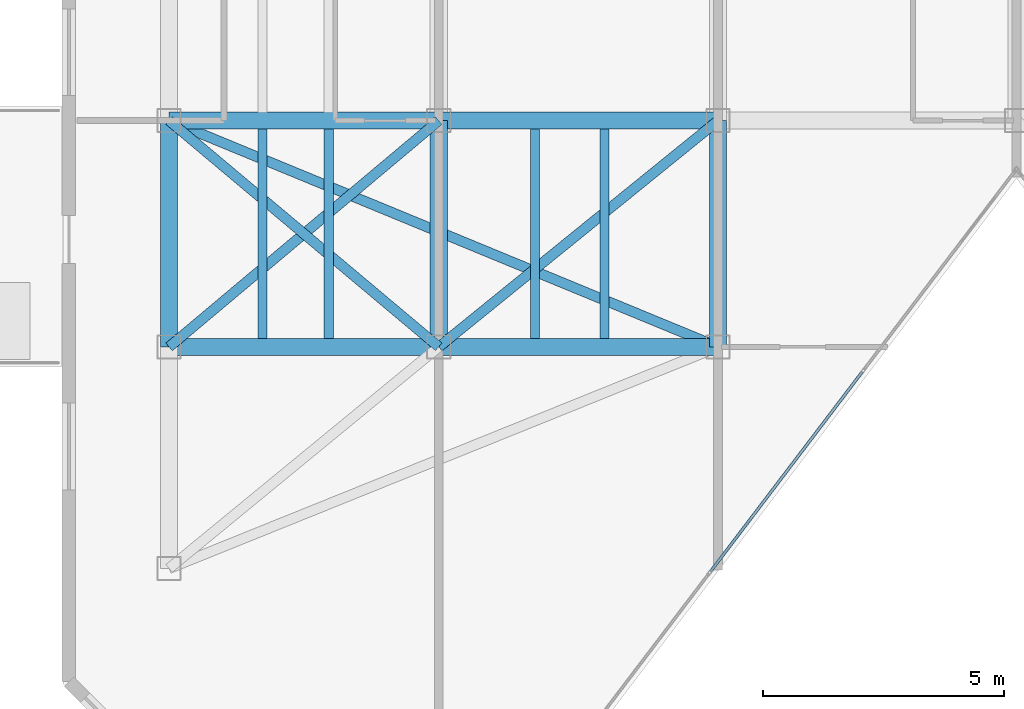
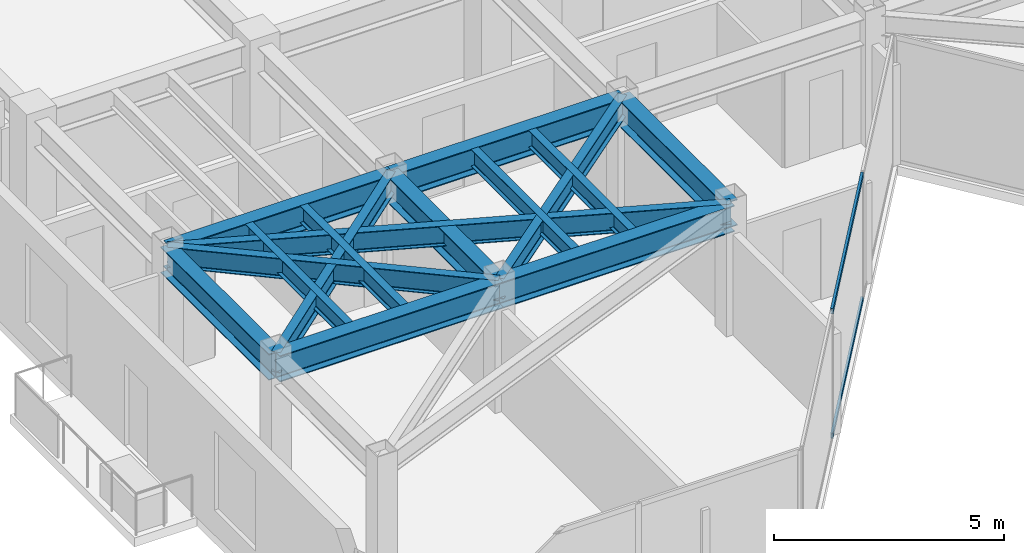
# One storey, part 5 of 17: 15 beams, 2 members, 1 element without a shape of its own.
"""IFC4 building model written with IfcOpenShell, lengths in metres."""

from ifc_helpers import new_model, si_unit, direction, frame, origin, origin_2d, place, context, subcontext, project, spatial, hollow_rectangle, i_section, extrude, material, layer, layer_set, material_profile, profile_set, type_object, element, aggregate, save


model = new_model("IFC4")

# Units and contexts
model_context = context("Model", 3, precision=1e-05, world=origin(), true_north=direction((0.0, 1.0)))
body_context = subcontext(model_context, "Body", "Model", "MODEL_VIEW")
ifc_project = project(units=[si_unit("LENGTHUNIT", "METRE"), si_unit("AREAUNIT", "SQUARE_METRE"), si_unit("VOLUMEUNIT", "CUBIC_METRE"), si_unit("PLANEANGLEUNIT", "RADIAN"), si_unit("MASSUNIT", "GRAM", prefix="KILO")], contexts=[model_context])

# Site, building, storey
site_placement = place(None, origin())
site = spatial("IfcSite", under=ifc_project, at=site_placement, CompositionType="ELEMENT")
building_placement = place(site_placement, origin())
building = spatial("IfcBuilding", under=site, at=building_placement, Name="Kravanh Interchange Tower", CompositionType="ELEMENT")
storey_placement = place(building_placement, frame((0.0, 0.0, 249.0)))
storey = spatial("IfcBuildingStorey", under=building, at=storey_placement, Name="L60", CompositionType="ELEMENT", Elevation=249.0)

# Curtain wall, members
ifc_material_1 = material(Name="Anodised Bronze Aluminium", Category="aluminium")
ifc_layer = layer(ifc_material_1, 0.179931640625)
ifc_layer_set = layer_set([ifc_layer], Name="Unitised Curtain Wall System CW-HTL Luxury Hotel")
curtain_wall_type = type_object("IfcCurtainWallType", Name="Unitised Curtain Wall System CW-HTL Luxury Hotel", PredefinedType="NOTDEFINED", material=ifc_layer_set)
curtain_wall_placement = place(storey_placement, origin())
curtain_wall = element("IfcCurtainWall", 1, at=curtain_wall_placement, inside=storey, type_object=curtain_wall_type, Name="L60 Unitised Curtain Wall CW-L60-04", PredefinedType="NOTDEFINED")
ifc_material_2 = material(Name="Anodised Bronze Aluminium", Category="aluminium")
ifc_material_profile_1 = material_profile(ifc_material_2, hollow_rectangle(XDim=0.06005859375, YDim=0.139892578125, WallThickness=0.00390625, at=origin_2d()), Name="ALU60X140X4")
ifc_profile_set_1 = profile_set([ifc_material_profile_1], Name="Anodised Bronze Aluminium")
member_type = type_object("IfcMemberType", Name="Curtain Wall Transom ALU60X140X4 Bronze", PredefinedType="USERDEFINED", material=ifc_profile_set_1)
member_1_placement = place(storey_placement, frame((41.595458984375, 26.28173828125, 0.030029296875), z_axis=(-0.605104668693, -0.796145928788, 0.0), x_axis=(0.796145928788, -0.605104668693, 0.0)))
member_1 = element("IfcMember", 2, at=member_1_placement, type_object=member_type, Name="CW-HTL transom 2.1", ObjectType="TRANSOM", PredefinedType="USERDEFINED", context=body_context, shape_type="SweptSolid", body=[
    extrude(hollow_rectangle(XDim=0.06005859375, YDim=0.139892578125, WallThickness=0.00390625, at=origin_2d()), origin(), (0.0, 0.0, 1.0), 5.206298828125),
])
member_2_placement = place(storey_placement, frame((41.595458984375, 26.28173828125, 3.330078125), z_axis=(-0.605104668693, -0.796145928788, 0.0), x_axis=(0.796145928788, -0.605104668693, 0.0)))
member_2 = element("IfcMember", 3, at=member_2_placement, type_object=member_type, Name="CW-HTL transom 2.2", ObjectType="TRANSOM", PredefinedType="USERDEFINED", context=body_context, shape_type="SweptSolid", body=[
    extrude(hollow_rectangle(XDim=0.06005859375, YDim=0.139892578125, WallThickness=0.00390625, at=origin_2d()), origin(), (0.0, 0.0, 1.0), 5.206298828125),
])
aggregate(curtain_wall, [member_1, member_2])

# Beams
ifc_material_3 = material(Name="Structural Steel S355", Category="steel")
ifc_material_profile_2 = material_profile(ifc_material_3, i_section(OverallWidth=0.35498046875, OverallDepth=0.696044921875, WebThickness=0.015380859375, FlangeThickness=0.02490234375, FilletRadius=0.02392578125, at=origin_2d()), Name="W27X146")
ifc_profile_set_2 = profile_set([ifc_material_profile_2], Name="Structural Steel S355")
beam_type_1 = type_object("IfcBeamType", Name="Floor Beam W27X146 Structural Steel S355", PredefinedType="BEAM", material=ifc_profile_set_2)
beam_1_placement = place(storey_placement, frame((38.60009765625, 31.5, 3.011962890625), z_axis=(0.0, -1.0, 0.0), x_axis=(1.0, 0.0, 0.0)))
element("IfcBeam", 4, at=beam_1_placement, inside=storey, type_object=beam_type_1, Name="L60 Primary Floor Girder 17", PredefinedType="BEAM", context=body_context, shape_type="SweptSolid", body=[
    extrude(i_section(OverallWidth=0.35498046875, OverallDepth=0.696044921875, WebThickness=0.015380859375, FlangeThickness=0.02490234375, FilletRadius=0.02392578125, at=origin_2d()), origin(), (0.0, 0.0, 1.0), 4.699951171875),
])
beam_2_placement = place(storey_placement, frame((38.60009765625, 31.5, 3.011962890625), z_axis=(-1.0, 0.0, 0.0), x_axis=(0.0, -1.0, 0.0)))
element("IfcBeam", 5, at=beam_2_placement, inside=storey, type_object=beam_type_1, Name="L60 Primary Floor Girder 18", PredefinedType="BEAM", context=body_context, shape_type="SweptSolid", body=[
    extrude(i_section(OverallWidth=0.35498046875, OverallDepth=0.696044921875, WebThickness=0.015380859375, FlangeThickness=0.02490234375, FilletRadius=0.02392578125, at=origin_2d()), origin(), (0.0, 0.0, 1.0), 5.800048828125),
])
beam_3_placement = place(storey_placement, frame((32.800048828125, 31.5, 3.011962890625), z_axis=(0.0, -1.0, 0.0), x_axis=(1.0, 0.0, 0.0)))
element("IfcBeam", 6, at=beam_3_placement, inside=storey, type_object=beam_type_1, Name="L60 Primary Floor Girder 21", PredefinedType="BEAM", context=body_context, shape_type="SweptSolid", body=[
    extrude(i_section(OverallWidth=0.35498046875, OverallDepth=0.696044921875, WebThickness=0.015380859375, FlangeThickness=0.02490234375, FilletRadius=0.02392578125, at=origin_2d()), origin(), (0.0, 0.0, 1.0), 4.699951171875),
])
beam_4_placement = place(storey_placement, frame((32.800048828125, 31.5, 3.011962890625), z_axis=(-1.0, 0.0, 0.0), x_axis=(0.0, -1.0, 0.0)))
element("IfcBeam", 7, at=beam_4_placement, inside=storey, type_object=beam_type_1, Name="L60 Primary Floor Girder 22", PredefinedType="BEAM", context=body_context, shape_type="SweptSolid", body=[
    extrude(i_section(OverallWidth=0.35498046875, OverallDepth=0.696044921875, WebThickness=0.015380859375, FlangeThickness=0.02490234375, FilletRadius=0.02392578125, at=origin_2d()), origin(), (0.0, 0.0, 1.0), 5.60009765625),
])
beam_5_placement = place(storey_placement, frame((27.199951171875, 31.5, 3.011962890625), z_axis=(0.0, -1.0, 0.0), x_axis=(1.0, 0.0, 0.0)))
element("IfcBeam", 8, at=beam_5_placement, inside=storey, type_object=beam_type_1, Name="L60 Primary Floor Girder 25", PredefinedType="BEAM", context=body_context, shape_type="SweptSolid", body=[
    extrude(i_section(OverallWidth=0.35498046875, OverallDepth=0.696044921875, WebThickness=0.015380859375, FlangeThickness=0.02490234375, FilletRadius=0.02392578125, at=origin_2d()), origin(), (0.0, 0.0, 1.0), 4.699951171875),
])
beam_6_placement = place(storey_placement, frame((38.60009765625, 26.800048828125, 3.011962890625), z_axis=(-1.0, 0.0, 0.0), x_axis=(0.0, -1.0, 0.0)))
element("IfcBeam", 9, at=beam_6_placement, inside=storey, type_object=beam_type_1, Name="L60 Primary Floor Girder 29", PredefinedType="BEAM", context=body_context, shape_type="SweptSolid", body=[
    extrude(i_section(OverallWidth=0.35498046875, OverallDepth=0.696044921875, WebThickness=0.015380859375, FlangeThickness=0.02490234375, FilletRadius=0.02392578125, at=origin_2d()), origin(), (0.0, 0.0, 1.0), 5.800048828125),
])
beam_7_placement = place(storey_placement, frame((27.199951171875, 26.800048828125, 3.011962890625), z_axis=(1.0, 0.0, 0.0), x_axis=(0.0, 1.0, 0.0)))
element("IfcBeam", 10, at=beam_7_placement, inside=storey, type_object=beam_type_1, Name="L60 Primary Floor Girder 42", PredefinedType="BEAM", context=body_context, shape_type="SweptSolid", body=[
    extrude(i_section(OverallWidth=0.35498046875, OverallDepth=0.696044921875, WebThickness=0.015380859375, FlangeThickness=0.02490234375, FilletRadius=0.02392578125, at=origin_2d()), origin(), (0.0, 0.0, 1.0), 5.60009765625),
])
ifc_material_4 = material(Name="Structural Steel S355", Category="steel")
ifc_material_profile_3 = material_profile(ifc_material_4, i_section(OverallWidth=0.18994140625, OverallDepth=0.45703125, WebThickness=0.009033203125, FlangeThickness=0.014404296875, FilletRadius=0.01806640625, at=origin_2d()), Name="W18X50")
ifc_profile_set_3 = profile_set([ifc_material_profile_3], Name="Structural Steel S355")
beam_type_2 = type_object("IfcBeamType", Name="Floor Joist W18X50 Structural Steel S355", PredefinedType="JOIST", material=ifc_profile_set_3)
for number, where, z_axis, x_axis, name in (
    (11, (29.139892578125, 26.972412109375, 3.131591796875), (0.0, 1.0, 0.0), (-1.0, 0.0, 0.0), "L60 Secondary Floor Joist 3"),
    (12, (30.51611328125, 26.972412109375, 3.131591796875), (0.0, 1.0, 0.0), (-1.0, 0.0, 0.0), "L60 Secondary Floor Joist 4"),
    (13, (34.800048828125, 26.972412109375, 3.131591796875), (0.0, 1.0, 0.0), (-1.0, 0.0, 0.0), "L60 Secondary Floor Joist 5"),
    (14, (36.239990234375, 26.972412109375, 3.131591796875), (0.0, 1.0, 0.0), (-1.0, 0.0, 0.0), "L60 Secondary Floor Joist 6"),
):
    element("IfcBeam", number, at=place(storey_placement, frame(where, z_axis=z_axis, x_axis=x_axis)), inside=storey, type_object=beam_type_2, Name=name, PredefinedType="JOIST", context=body_context, shape_type="SweptSolid", body=[
        extrude(i_section(OverallWidth=0.18994140625, OverallDepth=0.45703125, WebThickness=0.009033203125, FlangeThickness=0.014404296875, FilletRadius=0.01806640625, at=origin_2d()), origin(), (0.0, 0.0, 1.0), 4.35498046875),
    ])
ifc_material_5 = material(Name="Structural Steel S355", Category="steel")
ifc_material_profile_4 = material_profile(ifc_material_5, i_section(OverallWidth=0.2099609375, OverallDepth=0.537109375, WebThickness=0.010986328125, FlangeThickness=0.017333984375, FilletRadius=0.02001953125, at=origin_2d()), Name="W21X68")
ifc_profile_set_4 = profile_set([ifc_material_profile_4], Name="Structural Steel S355")
beam_type_3 = type_object("IfcBeamType", Name="Floor Spandrel W21X68 Structural Steel S355", PredefinedType="SPANDREL", material=ifc_profile_set_4)
beam_8_placement = place(storey_placement, frame((38.60009765625, 31.5, 3.091552734375), z_axis=(-0.776938619557, -0.629576350764, 0.0), x_axis=(0.629576350764, -0.776938619557, 0.0)))
element("IfcBeam", 15, at=beam_8_placement, inside=storey, type_object=beam_type_3, Name="L60 Perimeter Spandrel 20", PredefinedType="SPANDREL", context=body_context, shape_type="SweptSolid", body=[
    extrude(i_section(OverallWidth=0.2099609375, OverallDepth=0.537109375, WebThickness=0.010986328125, FlangeThickness=0.017333984375, FilletRadius=0.02001953125, at=origin_2d()), origin(), (0.0, 0.0, 1.0), 7.46533203125),
])
for number, where, z_axis, x_axis, name in (
    (16, (32.800048828125, 31.5, 3.091552734375), (-0.765983062929, -0.642860752657, 0.0), (0.642860752657, -0.765983062929, 0.0), "L60 Perimeter Spandrel 24"),
    (17, (27.199951171875, 31.5, 3.091552734375), (0.765983062929, -0.642860752657, 0.0), (0.642860752657, 0.765983062929, 0.0), "L60 Perimeter Spandrel 27"),
):
    element("IfcBeam", number, at=place(storey_placement, frame(where, z_axis=z_axis, x_axis=x_axis)), inside=storey, type_object=beam_type_3, Name=name, PredefinedType="SPANDREL", context=body_context, shape_type="SweptSolid", body=[
        extrude(i_section(OverallWidth=0.2099609375, OverallDepth=0.537109375, WebThickness=0.010986328125, FlangeThickness=0.017333984375, FilletRadius=0.02001953125, at=origin_2d()), origin(), (0.0, 0.0, 1.0), 7.31103515625),
    ])
beam_9_placement = place(storey_placement, frame((27.199951171875, 31.5, 3.091552734375), z_axis=(0.924513176562, -0.381150083778, 0.0), x_axis=(0.381150083778, 0.924513176562, 0.0)))
element("IfcBeam", 18, at=beam_9_placement, inside=storey, type_object=beam_type_3, Name="L60 Perimeter Spandrel 28", PredefinedType="SPANDREL", context=body_context, shape_type="SweptSolid", body=[
    extrude(i_section(OverallWidth=0.2099609375, OverallDepth=0.537109375, WebThickness=0.010986328125, FlangeThickness=0.017333984375, FilletRadius=0.02001953125, at=origin_2d()), origin(), (0.0, 0.0, 1.0), 12.3310546875),
])

save(model, "model.ifc")
